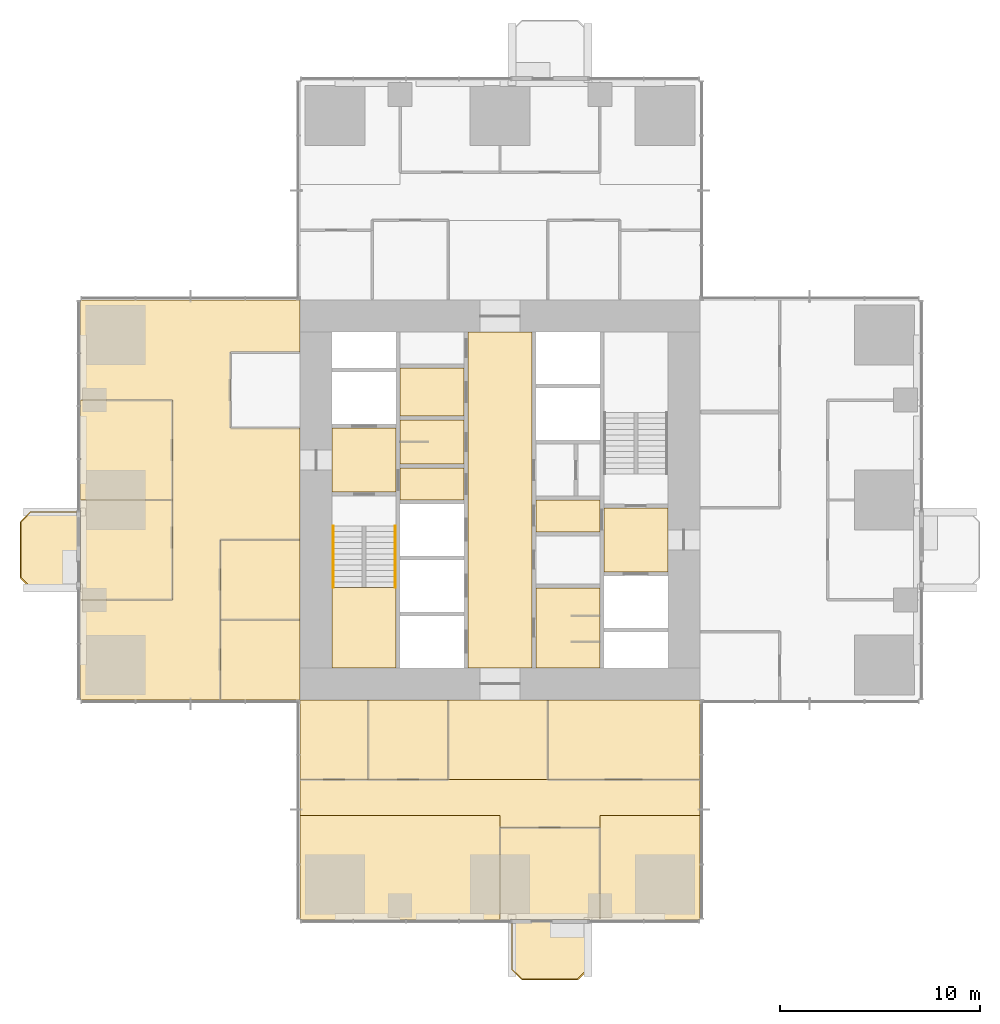
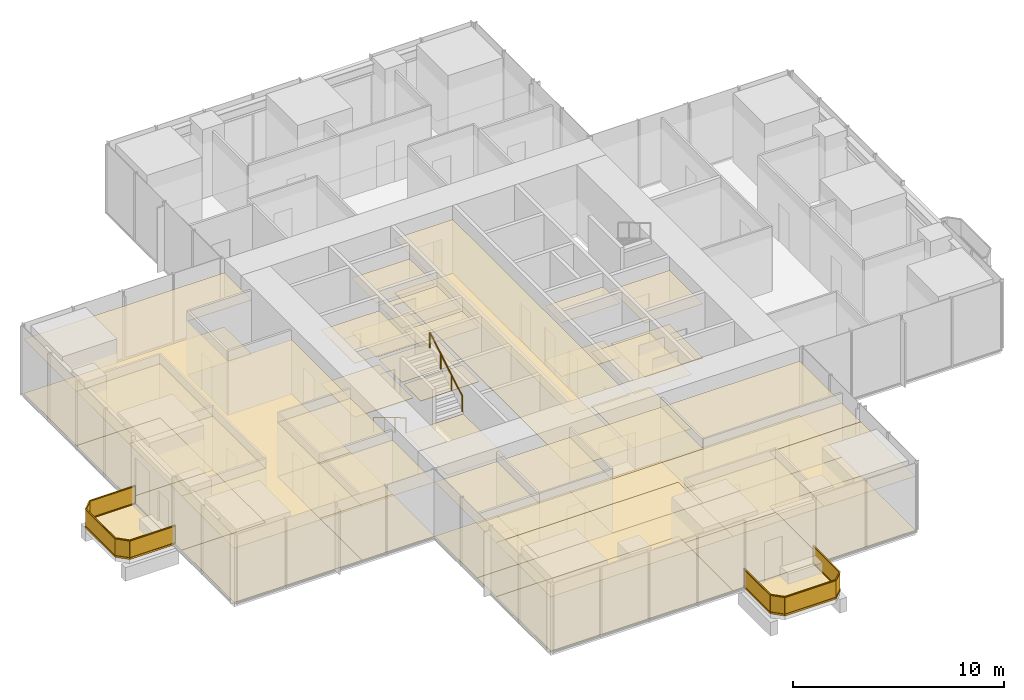
# One storey, part 12 of 14: 45 coverings, 4 railings.
"""IFC4 building model written with IfcOpenShell, lengths in metres."""

from ifc_helpers import new_model, si_unit, direction, frame, origin, origin_2d, place, context, subcontext, project, spatial, polyline, rectangle, circle, outline, extrude, material, layer, layer_set, type_object, element, save


model = new_model("IFC4")

# Units and contexts
model_context = context("Model", 3, precision=1e-05, world=origin(), true_north=direction((0.0, 1.0)))
body_context = subcontext(model_context, "Body", "Model", "MODEL_VIEW")
ifc_project = project(units=[si_unit("LENGTHUNIT", "METRE"), si_unit("AREAUNIT", "SQUARE_METRE"), si_unit("VOLUMEUNIT", "CUBIC_METRE"), si_unit("PLANEANGLEUNIT", "RADIAN"), si_unit("MASSUNIT", "GRAM", prefix="KILO")], contexts=[model_context])

# Site, building, storey
site_placement = place(None, origin())
site = spatial("IfcSite", under=ifc_project, at=site_placement, CompositionType="ELEMENT")
building_placement = place(site_placement, origin())
building = spatial("IfcBuilding", under=site, at=building_placement, Name="Svetlomir Tower", CompositionType="ELEMENT")
storey_placement = place(building_placement, frame((0.0, 0.0, 104.5)))
storey = spatial("IfcBuildingStorey", under=building, at=storey_placement, Name="L24", CompositionType="ELEMENT", Elevation=104.5)

# Railings
ifc_material_1 = material(Name="Bronze anodised aluminium and laminated glass", Category="aluminium")
railing_type_1 = type_object("IfcRailingType", Name="BALCONY GUARD GR1 1100", PredefinedType="GUARDRAIL", material=ifc_material_1)
railing_1_placement = place(storey_placement, frame((21.60009765625, 0.0, 0.0)))
element("IfcRailing", 1, at=railing_1_placement, inside=storey, type_object=railing_type_1, Name="Balcony guard S L24", PredefinedType="GUARDRAIL", context=body_context, shape_type="SweptSolid", body=[
    extrude(rectangle(XDim=0.06005859375, YDim=0.10009765625, at=origin_2d()), frame((0.0, 0.0, 0.050048828125), z_axis=(0.0, -1.0, 0.0), x_axis=(1.0, 0.0, 0.0)), (0.0, 0.0, 1.0), 2.5),
    extrude(rectangle(XDim=0.021484375, YDim=0.960205078125, at=origin_2d()), frame((0.0, 0.0, 0.580078125), z_axis=(0.0, -1.0, 0.0), x_axis=(1.0, 0.0, 0.0)), (0.0, 0.0, 1.0), 2.5),
    extrude(rectangle(XDim=0.06005859375, YDim=0.0400390625, at=origin_2d()), frame((0.0, 0.0, 1.080078125), z_axis=(0.0, -1.0, 0.0), x_axis=(1.0, 0.0, 0.0)), (0.0, 0.0, 1.0), 2.5),
    extrude(rectangle(XDim=0.06005859375, YDim=0.10009765625, at=origin_2d()), frame((0.0, -2.5, 0.050048828125), z_axis=(0.707106781187, -0.707106781187, 0.0), x_axis=(0.707106781187, 0.707106781187, 0.0)), (0.0, 0.0, 1.0), 0.70703125),
    extrude(rectangle(XDim=0.021484375, YDim=0.960205078125, at=origin_2d()), frame((0.0, -2.5, 0.580078125), z_axis=(0.707106781187, -0.707106781187, 0.0), x_axis=(0.707106781187, 0.707106781187, 0.0)), (0.0, 0.0, 1.0), 0.70703125),
    extrude(rectangle(XDim=0.06005859375, YDim=0.0400390625, at=origin_2d()), frame((0.0, -2.5, 1.080078125), z_axis=(0.707106781187, -0.707106781187, 0.0), x_axis=(0.707106781187, 0.707106781187, 0.0)), (0.0, 0.0, 1.0), 0.70703125),
    extrude(rectangle(XDim=0.06005859375, YDim=0.10009765625, at=origin_2d()), frame((0.5, -3.0, 0.050048828125), z_axis=(1.0, 0.0, 0.0), x_axis=(0.0, 1.0, 0.0)), (0.0, 0.0, 1.0), 2.7998046875),
    extrude(rectangle(XDim=0.021484375, YDim=0.960205078125, at=origin_2d()), frame((0.5, -3.0, 0.580078125), z_axis=(1.0, 0.0, 0.0), x_axis=(0.0, 1.0, 0.0)), (0.0, 0.0, 1.0), 2.7998046875),
    extrude(rectangle(XDim=0.06005859375, YDim=0.0400390625, at=origin_2d()), frame((0.5, -3.0, 1.080078125), z_axis=(1.0, 0.0, 0.0), x_axis=(0.0, 1.0, 0.0)), (0.0, 0.0, 1.0), 2.7998046875),
    extrude(rectangle(XDim=0.06005859375, YDim=0.10009765625, at=origin_2d()), frame((3.2998046875, -3.0, 0.050048828125), z_axis=(0.707106781187, 0.707106781187, 0.0), x_axis=(-0.707106781187, 0.707106781187, 0.0)), (0.0, 0.0, 1.0), 0.70703125),
    extrude(rectangle(XDim=0.021484375, YDim=0.960205078125, at=origin_2d()), frame((3.2998046875, -3.0, 0.580078125), z_axis=(0.707106781187, 0.707106781187, 0.0), x_axis=(-0.707106781187, 0.707106781187, 0.0)), (0.0, 0.0, 1.0), 0.70703125),
    extrude(rectangle(XDim=0.06005859375, YDim=0.0400390625, at=origin_2d()), frame((3.2998046875, -3.0, 1.080078125), z_axis=(0.707106781187, 0.707106781187, 0.0), x_axis=(-0.707106781187, 0.707106781187, 0.0)), (0.0, 0.0, 1.0), 0.70703125),
    extrude(rectangle(XDim=0.06005859375, YDim=0.10009765625, at=origin_2d()), frame((3.7998046875, -2.5, 0.050048828125), z_axis=(0.0, 1.0, 0.0), x_axis=(-1.0, 0.0, 0.0)), (0.0, 0.0, 1.0), 2.5),
    extrude(rectangle(XDim=0.021484375, YDim=0.960205078125, at=origin_2d()), frame((3.7998046875, -2.5, 0.580078125), z_axis=(0.0, 1.0, 0.0), x_axis=(-1.0, 0.0, 0.0)), (0.0, 0.0, 1.0), 2.5),
    extrude(rectangle(XDim=0.06005859375, YDim=0.0400390625, at=origin_2d()), frame((3.7998046875, -2.5, 1.080078125), z_axis=(0.0, 1.0, 0.0), x_axis=(-1.0, 0.0, 0.0)), (0.0, 0.0, 1.0), 2.5),
])
railing_2_placement = place(storey_placement, frame((0.0, 20.39990234375, 0.0)))
element("IfcRailing", 2, at=railing_2_placement, inside=storey, type_object=railing_type_1, Name="Balcony guard W L24", PredefinedType="GUARDRAIL", context=body_context, shape_type="SweptSolid", body=[
    extrude(rectangle(XDim=0.06005859375, YDim=0.10009765625, at=origin_2d()), frame((0.0, 0.0, 0.050048828125), z_axis=(-1.0, 0.0, 0.0), x_axis=(0.0, -1.0, 0.0)), (0.0, 0.0, 1.0), 2.5),
    extrude(rectangle(XDim=0.021484375, YDim=0.960205078125, at=origin_2d()), frame((0.0, 0.0, 0.580078125), z_axis=(-1.0, 0.0, 0.0), x_axis=(0.0, -1.0, 0.0)), (0.0, 0.0, 1.0), 2.5),
    extrude(rectangle(XDim=0.06005859375, YDim=0.0400390625, at=origin_2d()), frame((0.0, 0.0, 1.080078125), z_axis=(-1.0, 0.0, 0.0), x_axis=(0.0, -1.0, 0.0)), (0.0, 0.0, 1.0), 2.5),
    extrude(rectangle(XDim=0.06005859375, YDim=0.10009765625, at=origin_2d()), frame((-2.5, 0.0, 0.050048828125), z_axis=(-0.707106781187, -0.707106781187, 0.0), x_axis=(0.707106781187, -0.707106781187, 0.0)), (0.0, 0.0, 1.0), 0.70703125),
    extrude(rectangle(XDim=0.021484375, YDim=0.960205078125, at=origin_2d()), frame((-2.5, 0.0, 0.580078125), z_axis=(-0.707106781187, -0.707106781187, 0.0), x_axis=(0.707106781187, -0.707106781187, 0.0)), (0.0, 0.0, 1.0), 0.70703125),
    extrude(rectangle(XDim=0.06005859375, YDim=0.0400390625, at=origin_2d()), frame((-2.5, 0.0, 1.080078125), z_axis=(-0.707106781187, -0.707106781187, 0.0), x_axis=(0.707106781187, -0.707106781187, 0.0)), (0.0, 0.0, 1.0), 0.70703125),
    extrude(rectangle(XDim=0.06005859375, YDim=0.10009765625, at=origin_2d()), frame((-3.0, -0.5, 0.050048828125), z_axis=(0.0, -1.0, 0.0), x_axis=(1.0, 0.0, 0.0)), (0.0, 0.0, 1.0), 2.7998046875),
    extrude(rectangle(XDim=0.021484375, YDim=0.960205078125, at=origin_2d()), frame((-3.0, -0.5, 0.580078125), z_axis=(0.0, -1.0, 0.0), x_axis=(1.0, 0.0, 0.0)), (0.0, 0.0, 1.0), 2.7998046875),
    extrude(rectangle(XDim=0.06005859375, YDim=0.0400390625, at=origin_2d()), frame((-3.0, -0.5, 1.080078125), z_axis=(0.0, -1.0, 0.0), x_axis=(1.0, 0.0, 0.0)), (0.0, 0.0, 1.0), 2.7998046875),
    extrude(rectangle(XDim=0.06005859375, YDim=0.10009765625, at=origin_2d()), frame((-3.0, -3.2998046875, 0.050048828125), z_axis=(0.707106781187, -0.707106781187, 0.0), x_axis=(0.707106781187, 0.707106781187, 0.0)), (0.0, 0.0, 1.0), 0.70703125),
    extrude(rectangle(XDim=0.021484375, YDim=0.960205078125, at=origin_2d()), frame((-3.0, -3.2998046875, 0.580078125), z_axis=(0.707106781187, -0.707106781187, 0.0), x_axis=(0.707106781187, 0.707106781187, 0.0)), (0.0, 0.0, 1.0), 0.70703125),
    extrude(rectangle(XDim=0.06005859375, YDim=0.0400390625, at=origin_2d()), frame((-3.0, -3.2998046875, 1.080078125), z_axis=(0.707106781187, -0.707106781187, 0.0), x_axis=(0.707106781187, 0.707106781187, 0.0)), (0.0, 0.0, 1.0), 0.70703125),
    extrude(rectangle(XDim=0.06005859375, YDim=0.10009765625, at=origin_2d()), frame((-2.5, -3.7998046875, 0.050048828125), z_axis=(1.0, 0.0, 0.0), x_axis=(0.0, 1.0, 0.0)), (0.0, 0.0, 1.0), 2.5),
    extrude(rectangle(XDim=0.021484375, YDim=0.960205078125, at=origin_2d()), frame((-2.5, -3.7998046875, 0.580078125), z_axis=(1.0, 0.0, 0.0), x_axis=(0.0, 1.0, 0.0)), (0.0, 0.0, 1.0), 2.5),
    extrude(rectangle(XDim=0.06005859375, YDim=0.0400390625, at=origin_2d()), frame((-2.5, -3.7998046875, 1.080078125), z_axis=(1.0, 0.0, 0.0), x_axis=(0.0, 1.0, 0.0)), (0.0, 0.0, 1.0), 2.5),
])

# Coverings
ifc_material_2 = material(Name="Granite paving slabs on pedestals", Category="masonry")
ifc_layer_1 = layer(ifc_material_2, 0.0400390625)
ifc_layer_set_1 = layer_set([ifc_layer_1], Name="Granite paving slabs on pedestals")
covering_type_1 = type_object("IfcCoveringType", Name="BALCONY PAVING 40", PredefinedType="USERDEFINED", material=ifc_layer_set_1)
covering_1_placement = place(storey_placement, origin())
element("IfcCovering", 3, at=covering_1_placement, inside=storey, type_object=covering_type_1, Name="Balcony paving S L24", ObjectType="BALCONY PAVING", PredefinedType="USERDEFINED", context=body_context, shape_type="SweptSolid", body=[
    extrude(outline(polyline([(21.60009765625, -2.5), (22.10009765625, -3.0), (24.89990234375, -3.0), (25.39990234375, -2.5), (25.39990234375, 0.0), (21.60009765625, 0.0), (21.60009765625, -2.5)])), origin(), (0.0, 0.0, 1.0), 0.0400390625),
])
covering_2_placement = place(storey_placement, origin())
element("IfcCovering", 4, at=covering_2_placement, inside=storey, type_object=covering_type_1, Name="Balcony paving W L24", ObjectType="BALCONY PAVING", PredefinedType="USERDEFINED", context=body_context, shape_type="SweptSolid", body=[
    extrude(outline(polyline([(-2.5, 16.60009765625), (0.0, 16.60009765625), (0.0, 20.39990234375), (-2.5, 20.39990234375), (-3.0, 19.89990234375), (-3.0, 17.10009765625), (-2.5, 16.60009765625)])), origin(), (0.0, 0.0, 1.0), 0.0400390625),
])
ifc_material_3 = material(Name="Carpet tile", Category="textile")
ifc_layer_2 = layer(ifc_material_3, 0.010009765625)
ifc_layer_set_2 = layer_set([ifc_layer_2], Name="Carpet tile")
covering_type_2 = type_object("IfcCoveringType", Name="CARPET TILE FLOOR 10", PredefinedType="FLOORING", material=ifc_layer_set_2)
covering_3_placement = place(storey_placement, origin())
element("IfcCovering", 5, at=covering_3_placement, inside=storey, type_object=covering_type_2, Name="Floor finish L24-15", PredefinedType="FLOORING", context=body_context, shape_type="SweptSolid", body=[
    extrude(outline(polyline([(11.0, 7.0), (14.39990234375, 7.0), (14.39990234375, 11.0), (11.0, 11.0), (11.0, 7.0)])), origin(), (0.0, 0.0, 1.0), 0.010009765625),
])
covering_4_placement = place(storey_placement, origin())
element("IfcCovering", 6, at=covering_4_placement, inside=storey, type_object=covering_type_2, Name="Floor finish L24-16", PredefinedType="FLOORING", context=body_context, shape_type="SweptSolid", body=[
    extrude(outline(polyline([(14.39990234375, 7.0), (18.39990234375, 7.0), (18.39990234375, 11.0), (14.39990234375, 11.0), (14.39990234375, 7.0)])), origin(), (0.0, 0.0, 1.0), 0.010009765625),
])
covering_5_placement = place(storey_placement, origin())
element("IfcCovering", 7, at=covering_5_placement, inside=storey, type_object=covering_type_2, Name="Floor finish L24-17", PredefinedType="FLOORING", context=body_context, shape_type="SweptSolid", body=[
    extrude(outline(polyline([(23.39990234375, 7.0), (31.0, 7.0), (31.0, 11.0), (23.39990234375, 11.0), (23.39990234375, 7.0)])), origin(), (0.0, 0.0, 1.0), 0.010009765625),
])
covering_6_placement = place(storey_placement, origin())
element("IfcCovering", 8, at=covering_6_placement, inside=storey, type_object=covering_type_2, Name="Floor finish L24-18", PredefinedType="FLOORING", context=body_context, shape_type="SweptSolid", body=[
    extrude(outline(polyline([(21.0, 0.0), (26.0, 0.0), (26.0, 4.60009765625), (21.0, 4.60009765625), (21.0, 0.0)])), origin(), (0.0, 0.0, 1.0), 0.010009765625),
])
covering_7_placement = place(storey_placement, origin())
element("IfcCovering", 9, at=covering_7_placement, inside=storey, type_object=covering_type_2, Name="Floor finish L24-30", PredefinedType="FLOORING", context=body_context, shape_type="SweptSolid", body=[
    extrude(outline(polyline([(7.0, 11.0), (11.0, 11.0), (11.0, 15.0), (7.0, 15.0), (7.0, 11.0)])), origin(), (0.0, 0.0, 1.0), 0.010009765625),
])
covering_8_placement = place(storey_placement, origin())
element("IfcCovering", 10, at=covering_8_placement, inside=storey, type_object=covering_type_2, Name="Floor finish L24-31", PredefinedType="FLOORING", context=body_context, shape_type="SweptSolid", body=[
    extrude(outline(polyline([(7.0, 15.0), (11.0, 15.0), (11.0, 19.0), (7.0, 19.0), (7.0, 15.0)])), origin(), (0.0, 0.0, 1.0), 0.010009765625),
])
covering_9_placement = place(storey_placement, origin())
element("IfcCovering", 11, at=covering_9_placement, inside=storey, type_object=covering_type_2, Name="Floor finish L24-33", PredefinedType="FLOORING", context=body_context, shape_type="SweptSolid", body=[
    extrude(outline(polyline([(0.0, 16.0), (4.60009765625, 16.0), (4.60009765625, 21.0), (0.0, 21.0), (0.0, 16.0)])), origin(), (0.0, 0.0, 1.0), 0.010009765625),
])
covering_10_placement = place(storey_placement, origin())
element("IfcCovering", 12, at=covering_10_placement, inside=storey, type_object=covering_type_2, Name="Floor finish L24-34", PredefinedType="FLOORING", context=body_context, shape_type="SweptSolid", body=[
    extrude(outline(polyline([(0.0, 21.0), (4.60009765625, 21.0), (4.60009765625, 26.0), (0.0, 26.0), (0.0, 21.0)])), origin(), (0.0, 0.0, 1.0), 0.010009765625),
])
covering_11_placement = place(storey_placement, origin())
element("IfcCovering", 13, at=covering_11_placement, inside=storey, type_object=covering_type_2, Name="Floor finish L24-35", PredefinedType="FLOORING", context=body_context, shape_type="SweptSolid", body=[
    extrude(outline(polyline([(21.0, 4.60009765625), (21.0, 5.199951171875), (11.0, 5.199951171875), (11.0, 7.0), (31.0, 7.0), (31.0, 5.199951171875), (26.0, 5.199951171875), (26.0, 4.60009765625), (21.0, 4.60009765625)])), origin(), (0.0, 0.0, 1.0), 0.010009765625),
])
covering_12_placement = place(storey_placement, origin())
element("IfcCovering", 14, at=covering_12_placement, inside=storey, type_object=covering_type_2, Name="Floor finish L24-37", PredefinedType="FLOORING", context=body_context, shape_type="SweptSolid", body=[
    extrude(outline(polyline([(21.0, 5.199951171875), (21.0, 0.0), (11.0, 0.0), (11.0, 5.199951171875), (21.0, 5.199951171875)])), origin(), (0.0, 0.0, 1.0), 0.010009765625),
])
covering_13_placement = place(storey_placement, origin())
element("IfcCovering", 15, at=covering_13_placement, inside=storey, type_object=covering_type_2, Name="Floor finish L24-38", PredefinedType="FLOORING", context=body_context, shape_type="SweptSolid", body=[
    extrude(outline(polyline([(23.39990234375, 11.0), (23.39990234375, 7.0), (18.39990234375, 7.0), (18.39990234375, 11.0), (23.39990234375, 11.0)])), origin(), (0.0, 0.0, 1.0), 0.010009765625),
])
covering_14_placement = place(storey_placement, origin())
element("IfcCovering", 16, at=covering_14_placement, inside=storey, type_object=covering_type_2, Name="Floor finish L24-39", PredefinedType="FLOORING", context=body_context, shape_type="SweptSolid", body=[
    extrude(outline(polyline([(26.0, 0.0), (26.0, 5.199951171875), (31.0, 5.199951171875), (31.0, 0.0), (26.0, 0.0)])), origin(), (0.0, 0.0, 1.0), 0.010009765625),
])
covering_15_placement = place(storey_placement, origin())
element("IfcCovering", 17, at=covering_15_placement, inside=storey, type_object=covering_type_2, Name="Floor finish L24-44", PredefinedType="FLOORING", context=body_context, shape_type="SweptSolid", body=[
    extrude(outline(polyline([(11.0, 28.39990234375), (7.5, 28.39990234375), (7.5, 24.60009765625), (11.0, 24.60009765625), (11.0, 19.0), (7.0, 19.0), (7.0, 11.0), (0.0, 11.0), (0.0, 16.0), (4.60009765625, 16.0), (4.60009765625, 26.0), (0.0, 26.0), (0.0, 31.0), (11.0, 31.0), (11.0, 28.39990234375)])), origin(), (0.0, 0.0, 1.0), 0.010009765625),
])
ifc_material_4 = material(Name="Ceramic floor tile", Category="ceramic")
ifc_layer_3 = layer(ifc_material_4, 0.014892578125)
ifc_layer_set_3 = layer_set([ifc_layer_3], Name="Ceramic floor tile")
covering_type_3 = type_object("IfcCoveringType", Name="CERAMIC TILE FLOOR 15", PredefinedType="FLOORING", material=ifc_layer_set_3)
covering_16_placement = place(storey_placement, origin())
element("IfcCovering", 18, at=covering_16_placement, inside=storey, type_object=covering_type_3, Name="Floor finish L24-04", PredefinedType="FLOORING", context=body_context, shape_type="SweptSolid", body=[
    extrude(outline(polyline([(16.0, 22.800048828125), (19.199951171875, 22.800048828125), (19.199951171875, 25.0), (16.0, 25.0), (16.0, 22.800048828125)])), origin(), (0.0, 0.0, 1.0), 0.014892578125),
])
covering_17_placement = place(storey_placement, origin())
element("IfcCovering", 19, at=covering_17_placement, inside=storey, type_object=covering_type_3, Name="Floor finish L24-05", PredefinedType="FLOORING", context=body_context, shape_type="SweptSolid", body=[
    extrude(outline(polyline([(16.0, 25.199951171875), (19.199951171875, 25.199951171875), (19.199951171875, 27.60009765625), (16.0, 27.60009765625), (16.0, 25.199951171875)])), origin(), (0.0, 0.0, 1.0), 0.014892578125),
])
covering_18_placement = place(storey_placement, origin())
element("IfcCovering", 20, at=covering_18_placement, inside=storey, type_object=covering_type_3, Name="Floor finish L24-08", PredefinedType="FLOORING", context=body_context, shape_type="SweptSolid", body=[
    extrude(outline(polyline([(22.800048828125, 12.60009765625), (26.0, 12.60009765625), (26.0, 16.60009765625), (22.800048828125, 16.60009765625), (22.800048828125, 12.60009765625)])), origin(), (0.0, 0.0, 1.0), 0.014892578125),
])

# Railings
ifc_material_5 = material(Name="Stainless steel", Category="steel")
railing_type_2 = type_object("IfcRailingType", Name="HANDRAIL HR1 900", PredefinedType="HANDRAIL", material=ifc_material_5)
railing_3_placement = place(storey_placement, frame((12.64990234375, 19.699951171875, 0.166748046875)))
element("IfcRailing", 21, at=railing_3_placement, inside=storey, type_object=railing_type_2, Name="Handrail S1 flight 1 L24", PredefinedType="HANDRAIL", context=body_context, shape_type="SweptSolid", body=[
    extrude(circle(Radius=0.02392578125, at=origin_2d()), frame((0.0, 0.0, 0.8759765625), z_axis=(0.0, -0.859290745958, 0.51148745235), x_axis=(1.0, 0.0, 0.0)), (0.0, 0.0, 1.0), 3.584228515625),
    extrude(circle(Radius=0.02099609375, at=origin_2d()), origin(), (0.0, 0.0, 1.0), 0.851806640625),
    extrude(circle(Radius=0.02099609375, at=origin_2d()), frame((0.0, -1.026611328125, 0.611083984375)), (0.0, 0.0, 1.0), 0.851806640625),
    extrude(circle(Radius=0.02099609375, at=origin_2d()), frame((0.0, -2.05322265625, 1.22216796875)), (0.0, 0.0, 1.0), 0.851806640625),
    extrude(circle(Radius=0.02099609375, at=origin_2d()), frame((0.0, -3.079833984375, 1.833251953125)), (0.0, 0.0, 1.0), 0.851806640625),
])
railing_4_placement = place(storey_placement, frame((15.75, 16.6201171875, 2.166748046875)))
element("IfcRailing", 22, at=railing_4_placement, inside=storey, type_object=railing_type_2, Name="Handrail S1 flight 2 L24", PredefinedType="HANDRAIL", context=body_context, shape_type="SweptSolid", body=[
    extrude(circle(Radius=0.02392578125, at=origin_2d()), frame((0.0, 0.0, 0.8759765625), z_axis=(0.0, 0.859290745958, 0.51148745235), x_axis=(-1.0, 0.0, 0.0)), (0.0, 0.0, 1.0), 3.584228515625),
    extrude(circle(Radius=0.02099609375, at=origin_2d()), origin(), (0.0, 0.0, 1.0), 0.851806640625),
    extrude(circle(Radius=0.02099609375, at=origin_2d()), frame((0.0, 1.026611328125, 0.611083984375)), (0.0, 0.0, 1.0), 0.851806640625),
    extrude(circle(Radius=0.02099609375, at=origin_2d()), frame((0.0, 2.05322265625, 1.22216796875)), (0.0, 0.0, 1.0), 0.851806640625),
    extrude(circle(Radius=0.02099609375, at=origin_2d()), frame((0.0, 3.079833984375, 1.833251953125)), (0.0, 0.0, 1.0), 0.851806640625),
])

# Coverings
ifc_material_6 = material(Name="Moisture resistant plasterboard ceiling", Category="gypsum")
ifc_layer_4 = layer(ifc_material_6, 0.012451171875)
ifc_layer_set_4 = layer_set([ifc_layer_4], Name="Moisture resistant plasterboard ceiling")
covering_type_4 = type_object("IfcCoveringType", Name="MOISTURE RESISTANT CEILING 12.5", PredefinedType="CEILING", material=ifc_layer_set_4)
covering_19_placement = place(storey_placement, frame((0.0, 0.0, 3.137451171875)))
element("IfcCovering", 23, at=covering_19_placement, inside=storey, type_object=covering_type_4, Name="Ceiling L24-04", PredefinedType="CEILING", context=body_context, shape_type="SweptSolid", body=[
    extrude(outline(polyline([(16.0, 22.800048828125), (19.199951171875, 22.800048828125), (19.199951171875, 25.0), (16.0, 25.0), (16.0, 22.800048828125)])), origin(), (0.0, 0.0, 1.0), 0.012451171875),
])
covering_20_placement = place(storey_placement, frame((0.0, 0.0, 3.137451171875)))
element("IfcCovering", 24, at=covering_20_placement, inside=storey, type_object=covering_type_4, Name="Ceiling L24-05", PredefinedType="CEILING", context=body_context, shape_type="SweptSolid", body=[
    extrude(outline(polyline([(16.0, 25.199951171875), (19.199951171875, 25.199951171875), (19.199951171875, 27.60009765625), (16.0, 27.60009765625), (16.0, 25.199951171875)])), origin(), (0.0, 0.0, 1.0), 0.012451171875),
])
covering_21_placement = place(storey_placement, frame((0.0, 0.0, 3.137451171875)))
element("IfcCovering", 25, at=covering_21_placement, inside=storey, type_object=covering_type_4, Name="Ceiling L24-08", PredefinedType="CEILING", context=body_context, shape_type="SweptSolid", body=[
    extrude(outline(polyline([(22.800048828125, 12.60009765625), (26.0, 12.60009765625), (26.0, 16.60009765625), (22.800048828125, 16.60009765625), (22.800048828125, 12.60009765625)])), origin(), (0.0, 0.0, 1.0), 0.012451171875),
])
ifc_material_7 = material(Name="Gypsum plasterboard ceiling", Category="gypsum")
ifc_layer_5 = layer(ifc_material_7, 0.014892578125)
ifc_layer_set_5 = layer_set([ifc_layer_5], Name="Gypsum plasterboard ceiling")
covering_type_5 = type_object("IfcCoveringType", Name="PLASTERBOARD CEILING 15", PredefinedType="CEILING", material=ifc_layer_set_5)
covering_22_placement = place(storey_placement, frame((0.0, 0.0, 3.135009765625)))
element("IfcCovering", 26, at=covering_22_placement, inside=storey, type_object=covering_type_5, Name="Ceiling L24-02", PredefinedType="CEILING", context=body_context, shape_type="SweptSolid", body=[
    extrude(outline(polyline([(12.60009765625, 21.39990234375), (15.800048828125, 21.39990234375), (15.800048828125, 24.60009765625), (12.60009765625, 24.60009765625), (12.60009765625, 21.39990234375)])), origin(), (0.0, 0.0, 1.0), 0.014892578125),
])
covering_23_placement = place(storey_placement, frame((0.0, 0.0, 3.135009765625)))
element("IfcCovering", 27, at=covering_23_placement, inside=storey, type_object=covering_type_5, Name="Ceiling L24-03", PredefinedType="CEILING", context=body_context, shape_type="SweptSolid", body=[
    extrude(outline(polyline([(16.0, 21.0), (19.199951171875, 21.0), (19.199951171875, 22.60009765625), (16.0, 22.60009765625), (16.0, 21.0)])), origin(), (0.0, 0.0, 1.0), 0.014892578125),
])
covering_24_placement = place(storey_placement, frame((0.0, 0.0, 3.135009765625)))
element("IfcCovering", 28, at=covering_24_placement, inside=storey, type_object=covering_type_5, Name="Ceiling L24-07", PredefinedType="CEILING", context=body_context, shape_type="SweptSolid", body=[
    extrude(outline(polyline([(19.39990234375, 12.60009765625), (22.60009765625, 12.60009765625), (22.60009765625, 29.39990234375), (19.39990234375, 29.39990234375), (19.39990234375, 12.60009765625)])), origin(), (0.0, 0.0, 1.0), 0.014892578125),
])
covering_25_placement = place(storey_placement, frame((0.0, 0.0, 3.135009765625)))
element("IfcCovering", 29, at=covering_25_placement, inside=storey, type_object=covering_type_5, Name="Ceiling L24-10", PredefinedType="CEILING", context=body_context, shape_type="SweptSolid", body=[
    extrude(outline(polyline([(22.800048828125, 19.39990234375), (26.0, 19.39990234375), (26.0, 21.0), (22.800048828125, 21.0), (22.800048828125, 19.39990234375)])), origin(), (0.0, 0.0, 1.0), 0.014892578125),
])
covering_26_placement = place(storey_placement, frame((0.0, 0.0, 3.135009765625)))
element("IfcCovering", 30, at=covering_26_placement, inside=storey, type_object=covering_type_5, Name="Ceiling L24-11", PredefinedType="CEILING", context=body_context, shape_type="SweptSolid", body=[
    extrude(outline(polyline([(26.199951171875, 17.39990234375), (29.39990234375, 17.39990234375), (29.39990234375, 20.60009765625), (26.199951171875, 20.60009765625), (26.199951171875, 17.39990234375)])), origin(), (0.0, 0.0, 1.0), 0.014892578125),
])
ifc_material_8 = material(Name="Studded rubber floor finish", Category="rubber")
ifc_layer_6 = layer(ifc_material_8, 0.006103515625)
ifc_layer_set_6 = layer_set([ifc_layer_6], Name="Studded rubber floor finish")
covering_type_6 = type_object("IfcCoveringType", Name="RUBBER LANDING FINISH 6", PredefinedType="FLOORING", material=ifc_layer_set_6)
covering_27_placement = place(storey_placement, frame((0.0, 0.0, 2.0)))
element("IfcCovering", 31, at=covering_27_placement, inside=storey, type_object=covering_type_6, Name="Stair S1 landing finish L24", PredefinedType="FLOORING", context=body_context, shape_type="SweptSolid", body=[
    extrude(outline(polyline([(12.60009765625, 12.60009765625), (15.800048828125, 12.60009765625), (15.800048828125, 16.6201171875), (12.60009765625, 16.6201171875), (12.60009765625, 12.60009765625)])), origin(), (0.0, 0.0, 1.0), 0.006103515625),
])
ifc_material_9 = material(Name="Mineral fibre ceiling tile", Category="mineral")
ifc_layer_7 = layer(ifc_material_9, 0.02001953125)
ifc_layer_set_7 = layer_set([ifc_layer_7], Name="Mineral fibre ceiling tile")
covering_type_7 = type_object("IfcCoveringType", Name="SUSPENDED CEILING 20", PredefinedType="CEILING", material=ifc_layer_set_7)
covering_28_placement = place(storey_placement, frame((0.0, 0.0, 3.1298828125)))
element("IfcCovering", 32, at=covering_28_placement, inside=storey, type_object=covering_type_7, Name="Ceiling L24-15", PredefinedType="CEILING", context=body_context, shape_type="SweptSolid", body=[
    extrude(outline(polyline([(11.0, 7.0), (14.39990234375, 7.0), (14.39990234375, 11.0), (11.0, 11.0), (11.0, 7.0)])), origin(), (0.0, 0.0, 1.0), 0.02001953125),
])
covering_29_placement = place(storey_placement, frame((0.0, 0.0, 3.1298828125)))
element("IfcCovering", 33, at=covering_29_placement, inside=storey, type_object=covering_type_7, Name="Ceiling L24-16", PredefinedType="CEILING", context=body_context, shape_type="SweptSolid", body=[
    extrude(outline(polyline([(14.39990234375, 7.0), (18.39990234375, 7.0), (18.39990234375, 11.0), (14.39990234375, 11.0), (14.39990234375, 7.0)])), origin(), (0.0, 0.0, 1.0), 0.02001953125),
])
covering_30_placement = place(storey_placement, frame((0.0, 0.0, 3.1298828125)))
element("IfcCovering", 34, at=covering_30_placement, inside=storey, type_object=covering_type_7, Name="Ceiling L24-17", PredefinedType="CEILING", context=body_context, shape_type="SweptSolid", body=[
    extrude(outline(polyline([(23.39990234375, 7.0), (31.0, 7.0), (31.0, 11.0), (23.39990234375, 11.0), (23.39990234375, 7.0)])), origin(), (0.0, 0.0, 1.0), 0.02001953125),
])
covering_31_placement = place(storey_placement, frame((0.0, 0.0, 3.1298828125)))
element("IfcCovering", 35, at=covering_31_placement, inside=storey, type_object=covering_type_7, Name="Ceiling L24-18", PredefinedType="CEILING", context=body_context, shape_type="SweptSolid", body=[
    extrude(outline(polyline([(21.0, 0.0), (26.0, 0.0), (26.0, 4.60009765625), (21.0, 4.60009765625), (21.0, 0.0)])), origin(), (0.0, 0.0, 1.0), 0.02001953125),
])
covering_32_placement = place(storey_placement, frame((0.0, 0.0, 3.1298828125)))
element("IfcCovering", 36, at=covering_32_placement, inside=storey, type_object=covering_type_7, Name="Ceiling L24-30", PredefinedType="CEILING", context=body_context, shape_type="SweptSolid", body=[
    extrude(outline(polyline([(7.0, 11.0), (11.0, 11.0), (11.0, 15.0), (7.0, 15.0), (7.0, 11.0)])), origin(), (0.0, 0.0, 1.0), 0.02001953125),
])
covering_33_placement = place(storey_placement, frame((0.0, 0.0, 3.1298828125)))
element("IfcCovering", 37, at=covering_33_placement, inside=storey, type_object=covering_type_7, Name="Ceiling L24-31", PredefinedType="CEILING", context=body_context, shape_type="SweptSolid", body=[
    extrude(outline(polyline([(7.0, 15.0), (11.0, 15.0), (11.0, 19.0), (7.0, 19.0), (7.0, 15.0)])), origin(), (0.0, 0.0, 1.0), 0.02001953125),
])
covering_34_placement = place(storey_placement, frame((0.0, 0.0, 3.1298828125)))
element("IfcCovering", 38, at=covering_34_placement, inside=storey, type_object=covering_type_7, Name="Ceiling L24-33", PredefinedType="CEILING", context=body_context, shape_type="SweptSolid", body=[
    extrude(outline(polyline([(0.0, 16.0), (4.60009765625, 16.0), (4.60009765625, 21.0), (0.0, 21.0), (0.0, 16.0)])), origin(), (0.0, 0.0, 1.0), 0.02001953125),
])
covering_35_placement = place(storey_placement, frame((0.0, 0.0, 3.1298828125)))
element("IfcCovering", 39, at=covering_35_placement, inside=storey, type_object=covering_type_7, Name="Ceiling L24-34", PredefinedType="CEILING", context=body_context, shape_type="SweptSolid", body=[
    extrude(outline(polyline([(0.0, 21.0), (4.60009765625, 21.0), (4.60009765625, 26.0), (0.0, 26.0), (0.0, 21.0)])), origin(), (0.0, 0.0, 1.0), 0.02001953125),
])
covering_36_placement = place(storey_placement, frame((0.0, 0.0, 3.1298828125)))
element("IfcCovering", 40, at=covering_36_placement, inside=storey, type_object=covering_type_7, Name="Ceiling L24-35", PredefinedType="CEILING", context=body_context, shape_type="SweptSolid", body=[
    extrude(outline(polyline([(21.0, 4.60009765625), (21.0, 5.199951171875), (11.0, 5.199951171875), (11.0, 7.0), (31.0, 7.0), (31.0, 5.199951171875), (26.0, 5.199951171875), (26.0, 4.60009765625), (21.0, 4.60009765625)])), origin(), (0.0, 0.0, 1.0), 0.02001953125),
])
covering_37_placement = place(storey_placement, frame((0.0, 0.0, 3.1298828125)))
element("IfcCovering", 41, at=covering_37_placement, inside=storey, type_object=covering_type_7, Name="Ceiling L24-37", PredefinedType="CEILING", context=body_context, shape_type="SweptSolid", body=[
    extrude(outline(polyline([(21.0, 5.199951171875), (21.0, 0.0), (11.0, 0.0), (11.0, 5.199951171875), (21.0, 5.199951171875)])), origin(), (0.0, 0.0, 1.0), 0.02001953125),
])
covering_38_placement = place(storey_placement, frame((0.0, 0.0, 3.1298828125)))
element("IfcCovering", 42, at=covering_38_placement, inside=storey, type_object=covering_type_7, Name="Ceiling L24-38", PredefinedType="CEILING", context=body_context, shape_type="SweptSolid", body=[
    extrude(outline(polyline([(23.39990234375, 11.0), (23.39990234375, 7.0), (18.39990234375, 7.0), (18.39990234375, 11.0), (23.39990234375, 11.0)])), origin(), (0.0, 0.0, 1.0), 0.02001953125),
])
covering_39_placement = place(storey_placement, frame((0.0, 0.0, 3.1298828125)))
element("IfcCovering", 43, at=covering_39_placement, inside=storey, type_object=covering_type_7, Name="Ceiling L24-39", PredefinedType="CEILING", context=body_context, shape_type="SweptSolid", body=[
    extrude(outline(polyline([(26.0, 0.0), (26.0, 5.199951171875), (31.0, 5.199951171875), (31.0, 0.0), (26.0, 0.0)])), origin(), (0.0, 0.0, 1.0), 0.02001953125),
])
covering_40_placement = place(storey_placement, frame((0.0, 0.0, 3.1298828125)))
element("IfcCovering", 44, at=covering_40_placement, inside=storey, type_object=covering_type_7, Name="Ceiling L24-44", PredefinedType="CEILING", context=body_context, shape_type="SweptSolid", body=[
    extrude(outline(polyline([(11.0, 28.39990234375), (7.5, 28.39990234375), (7.5, 24.60009765625), (11.0, 24.60009765625), (11.0, 19.0), (7.0, 19.0), (7.0, 11.0), (0.0, 11.0), (0.0, 16.0), (4.60009765625, 16.0), (4.60009765625, 26.0), (0.0, 26.0), (0.0, 31.0), (11.0, 31.0), (11.0, 28.39990234375)])), origin(), (0.0, 0.0, 1.0), 0.02001953125),
])
ifc_material_10 = material(Name="Bronze-aggregate terrazzo", Category="stone")
ifc_layer_8 = layer(ifc_material_10, 0.030029296875)
ifc_layer_set_8 = layer_set([ifc_layer_8], Name="Bronze-aggregate terrazzo")
covering_type_8 = type_object("IfcCoveringType", Name="TERRAZZO FLOOR 30", PredefinedType="FLOORING", material=ifc_layer_set_8)
covering_41_placement = place(storey_placement, origin())
element("IfcCovering", 45, at=covering_41_placement, inside=storey, type_object=covering_type_8, Name="Floor finish L24-02", PredefinedType="FLOORING", context=body_context, shape_type="SweptSolid", body=[
    extrude(outline(polyline([(12.60009765625, 21.39990234375), (15.800048828125, 21.39990234375), (15.800048828125, 24.60009765625), (12.60009765625, 24.60009765625), (12.60009765625, 21.39990234375)])), origin(), (0.0, 0.0, 1.0), 0.030029296875),
])
covering_42_placement = place(storey_placement, origin())
element("IfcCovering", 46, at=covering_42_placement, inside=storey, type_object=covering_type_8, Name="Floor finish L24-03", PredefinedType="FLOORING", context=body_context, shape_type="SweptSolid", body=[
    extrude(outline(polyline([(16.0, 21.0), (19.199951171875, 21.0), (19.199951171875, 22.60009765625), (16.0, 22.60009765625), (16.0, 21.0)])), origin(), (0.0, 0.0, 1.0), 0.030029296875),
])
covering_43_placement = place(storey_placement, origin())
element("IfcCovering", 47, at=covering_43_placement, inside=storey, type_object=covering_type_8, Name="Floor finish L24-07", PredefinedType="FLOORING", context=body_context, shape_type="SweptSolid", body=[
    extrude(outline(polyline([(19.39990234375, 12.60009765625), (22.60009765625, 12.60009765625), (22.60009765625, 29.39990234375), (19.39990234375, 29.39990234375), (19.39990234375, 12.60009765625)])), origin(), (0.0, 0.0, 1.0), 0.030029296875),
])
covering_44_placement = place(storey_placement, origin())
element("IfcCovering", 48, at=covering_44_placement, inside=storey, type_object=covering_type_8, Name="Floor finish L24-10", PredefinedType="FLOORING", context=body_context, shape_type="SweptSolid", body=[
    extrude(outline(polyline([(22.800048828125, 19.39990234375), (26.0, 19.39990234375), (26.0, 21.0), (22.800048828125, 21.0), (22.800048828125, 19.39990234375)])), origin(), (0.0, 0.0, 1.0), 0.030029296875),
])
covering_45_placement = place(storey_placement, origin())
element("IfcCovering", 49, at=covering_45_placement, inside=storey, type_object=covering_type_8, Name="Floor finish L24-11", PredefinedType="FLOORING", context=body_context, shape_type="SweptSolid", body=[
    extrude(outline(polyline([(26.199951171875, 17.39990234375), (29.39990234375, 17.39990234375), (29.39990234375, 20.60009765625), (26.199951171875, 20.60009765625), (26.199951171875, 17.39990234375)])), origin(), (0.0, 0.0, 1.0), 0.030029296875),
])

save(model, "model.ifc")
